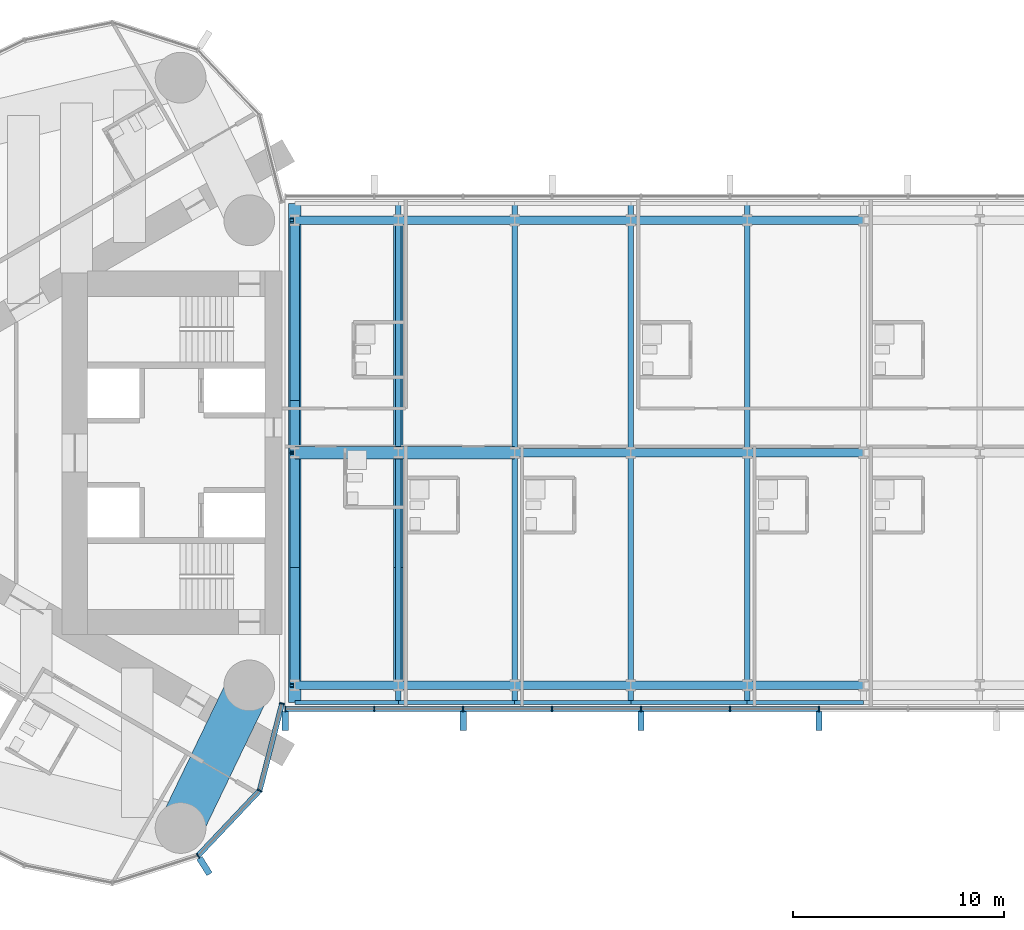
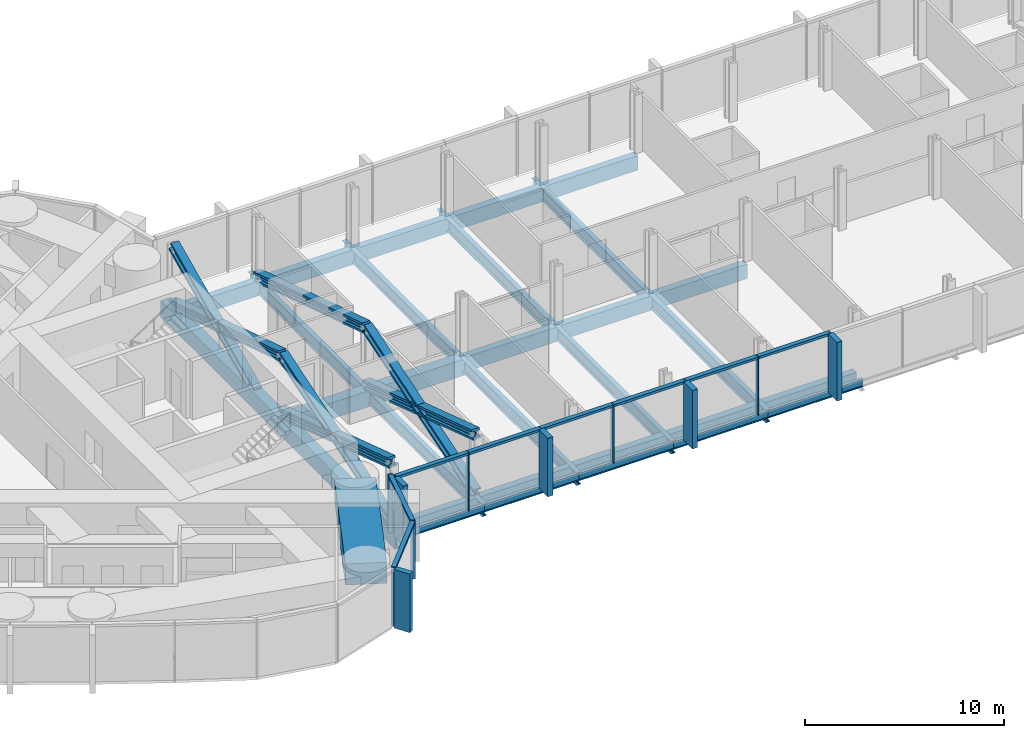
# One storey, part 5 of 24: 31 beams, 30 members, 2 elements without a shape of their own.
"""IFC4 building model written with IfcOpenShell, lengths in metres."""

from ifc_helpers import new_model, si_unit, direction, frame, origin, origin_2d, place, context, subcontext, project, spatial, rectangle, hollow_rectangle, i_section, extrude, material, material_profile, profile_set, type_object, element, aggregate, save


model = new_model("IFC4")

# Units and contexts
model_context = context("Model", 3, precision=1e-05, world=origin(), true_north=direction((0.0, 1.0)))
body_context = subcontext(model_context, "Body", "Model", "MODEL_VIEW")
ifc_project = project(units=[si_unit("LENGTHUNIT", "METRE"), si_unit("AREAUNIT", "SQUARE_METRE"), si_unit("VOLUMEUNIT", "CUBIC_METRE"), si_unit("PLANEANGLEUNIT", "RADIAN"), si_unit("MASSUNIT", "GRAM", prefix="KILO")], contexts=[model_context])

# Site, building, storey
site_placement = place(None, origin())
site = spatial("IfcSite", under=ifc_project, at=site_placement, CompositionType="ELEMENT")
building_placement = place(site_placement, origin())
building = spatial("IfcBuilding", under=site, at=building_placement, Name="Lancet Gate Hotel", CompositionType="ELEMENT")
storey_placement = place(building_placement, frame((0.0, 0.0, 244.10009765625)))
storey = spatial("IfcBuildingStorey", under=building, at=storey_placement, Name="L65", CompositionType="ELEMENT", Elevation=244.10009765625)

# Curtain wall, members
ifc_material_1 = material(Name="Aluminium curtain wall", Category="aluminium")
curtain_wall_type_1 = type_object("IfcCurtainWallType", Name="Tower unitised curtain wall", PredefinedType="USERDEFINED", material=ifc_material_1)
curtain_wall_1_placement = place(storey_placement, origin())
curtain_wall_1 = element("IfcCurtainWall", 1, at=curtain_wall_1_placement, inside=storey, type_object=curtain_wall_type_1, Name="T1 L65 curtain wall 1", ObjectType="UNITISED CURTAIN WALL", PredefinedType="USERDEFINED")
ifc_material_2 = material(Name="Aluminium mullion", Category="aluminium")
ifc_material_profile_1 = material_profile(ifc_material_2, rectangle(XDim=0.06494140625, YDim=0.25, at=origin_2d()), Name="MULLION 65x250")
ifc_profile_set_1 = profile_set([ifc_material_profile_1], Name="Aluminium mullion")
member_type_1 = type_object("IfcMemberType", Name="Aluminium mullion 65x250", PredefinedType="MULLION", material=ifc_profile_set_1)
member_1_placement = place(storey_placement, frame((-31.476318359375, -19.0576171875, 0.0), z_axis=(0.0, 0.0, 1.0), x_axis=(0.846612863, 0.532209225966, 0.0)))
member_1 = element("IfcMember", 2, at=member_1_placement, type_object=member_type_1, Name="T1 L65 curtain wall 1 mullion 23", PredefinedType="MULLION", context=body_context, shape_type="SweptSolid", body=[
    extrude(rectangle(XDim=0.06494140625, YDim=0.25, at=origin_2d()), origin(), (0.0, 0.0, 1.0), 3.599853515625),
])
member_2_placement = place(storey_placement, frame((-28.56005859375, -15.97216796875, 0.0), z_axis=(0.0, 0.0, 1.0), x_axis=(0.483627322447, 0.875274021654, 0.0)))
member_2 = element("IfcMember", 3, at=member_2_placement, type_object=member_type_1, Name="T1 L65 curtain wall 1 mullion 24", PredefinedType="MULLION", context=body_context, shape_type="SweptSolid", body=[
    extrude(rectangle(XDim=0.06494140625, YDim=0.25, at=origin_2d()), origin(), (0.0, 0.0, 1.0), 3.599853515625),
])
member_3_placement = place(storey_placement, frame((-27.5, -11.861572265625, 0.0), z_axis=(0.0, 0.0, 1.0), x_axis=(0.249725827997, 0.968316586056, 0.0)))
member_3 = element("IfcMember", 4, at=member_3_placement, type_object=member_type_1, Name="T1 L65 curtain wall 1 mullion 25", PredefinedType="MULLION", context=body_context, shape_type="SweptSolid", body=[
    extrude(rectangle(XDim=0.06494140625, YDim=0.25, at=origin_2d()), origin(), (0.0, 0.0, 1.0), 3.599853515625),
])

ifc_material_3 = material(Name="Aluminium curtain wall", Category="aluminium")
curtain_wall_type_2 = type_object("IfcCurtainWallType", Name="Bridge block curtain wall", PredefinedType="USERDEFINED", material=ifc_material_3)
curtain_wall_2_placement = place(storey_placement, origin())
curtain_wall_2 = element("IfcCurtainWall", 5, at=curtain_wall_2_placement, inside=storey, type_object=curtain_wall_type_2, Name="Bridge block L65 curtain wall S", ObjectType="UNITISED CURTAIN WALL", PredefinedType="USERDEFINED")
member_4_placement = place(storey_placement, frame((-27.35009765625, -12.1201171875, 0.0), z_axis=(0.0, 0.0, 1.0), x_axis=(1.0, 0.0, 0.0)))
member_4 = element("IfcMember", 6, at=member_4_placement, type_object=member_type_1, Name="Bridge block L65 curtain wall S mullion 1", PredefinedType="MULLION", context=body_context, shape_type="SweptSolid", body=[
    extrude(rectangle(XDim=0.06494140625, YDim=0.25, at=origin_2d()), origin(), (0.0, 0.0, 1.0), 3.599853515625),
])
member_5_placement = place(storey_placement, frame((-23.142333984375, -12.1201171875, 0.0), z_axis=(0.0, 0.0, 1.0), x_axis=(1.0, 0.0, 0.0)))
member_5 = element("IfcMember", 7, at=member_5_placement, type_object=member_type_1, Name="Bridge block L65 curtain wall S mullion 2", PredefinedType="MULLION", context=body_context, shape_type="SweptSolid", body=[
    extrude(rectangle(XDim=0.06494140625, YDim=0.25, at=origin_2d()), origin(), (0.0, 0.0, 1.0), 3.599853515625),
])
member_6_placement = place(storey_placement, frame((-18.9345703125, -12.1201171875, 0.0), z_axis=(0.0, 0.0, 1.0), x_axis=(1.0, 0.0, 0.0)))
member_6 = element("IfcMember", 8, at=member_6_placement, type_object=member_type_1, Name="Bridge block L65 curtain wall S mullion 3", PredefinedType="MULLION", context=body_context, shape_type="SweptSolid", body=[
    extrude(rectangle(XDim=0.06494140625, YDim=0.25, at=origin_2d()), origin(), (0.0, 0.0, 1.0), 3.599853515625),
])
member_7_placement = place(storey_placement, frame((-14.726806640625, -12.1201171875, 0.0), z_axis=(0.0, 0.0, 1.0), x_axis=(1.0, 0.0, 0.0)))
member_7 = element("IfcMember", 9, at=member_7_placement, type_object=member_type_1, Name="Bridge block L65 curtain wall S mullion 4", PredefinedType="MULLION", context=body_context, shape_type="SweptSolid", body=[
    extrude(rectangle(XDim=0.06494140625, YDim=0.25, at=origin_2d()), origin(), (0.0, 0.0, 1.0), 3.599853515625),
])
member_8_placement = place(storey_placement, frame((-10.519287109375, -12.1201171875, 0.0), z_axis=(0.0, 0.0, 1.0), x_axis=(1.0, 0.0, 0.0)))
member_8 = element("IfcMember", 10, at=member_8_placement, type_object=member_type_1, Name="Bridge block L65 curtain wall S mullion 5", PredefinedType="MULLION", context=body_context, shape_type="SweptSolid", body=[
    extrude(rectangle(XDim=0.06494140625, YDim=0.25, at=origin_2d()), origin(), (0.0, 0.0, 1.0), 3.599853515625),
])
member_9_placement = place(storey_placement, frame((-6.3115234375, -12.1201171875, 0.0), z_axis=(0.0, 0.0, 1.0), x_axis=(1.0, 0.0, 0.0)))
member_9 = element("IfcMember", 11, at=member_9_placement, type_object=member_type_1, Name="Bridge block L65 curtain wall S mullion 6", PredefinedType="MULLION", context=body_context, shape_type="SweptSolid", body=[
    extrude(rectangle(XDim=0.06494140625, YDim=0.25, at=origin_2d()), origin(), (0.0, 0.0, 1.0), 3.599853515625),
])
member_10_placement = place(storey_placement, frame((-2.103759765625, -12.1201171875, 0.0), z_axis=(0.0, 0.0, 1.0), x_axis=(1.0, 0.0, 0.0)))
member_10 = element("IfcMember", 12, at=member_10_placement, type_object=member_type_1, Name="Bridge block L65 curtain wall S mullion 7", PredefinedType="MULLION", context=body_context, shape_type="SweptSolid", body=[
    extrude(rectangle(XDim=0.06494140625, YDim=0.25, at=origin_2d()), origin(), (0.0, 0.0, 1.0), 3.599853515625),
])

# Member
ifc_material_4 = material(Name="Aluminium transom", Category="aluminium")
ifc_material_profile_2 = material_profile(ifc_material_4, rectangle(XDim=0.25, YDim=0.14990234375, at=origin_2d()), Name="TRANSOM 250x150")
ifc_profile_set_2 = profile_set([ifc_material_profile_2], Name="Aluminium transom")
member_type_2 = type_object("IfcMemberType", Name="Aluminium transom 250x150", PredefinedType="USERDEFINED", material=ifc_profile_set_2)
member_11_placement = place(storey_placement, frame((-31.453857421875, -19.033935546875, 3.52490234375), z_axis=(0.686880731091, 0.726770157103, 0.0), x_axis=(-0.726770157103, 0.686880731091, 0.0)))
member_11 = element("IfcMember", 13, at=member_11_placement, type_object=member_type_2, Name="T1 L65 curtain wall 1 transom 23", ObjectType="TRANSOM", PredefinedType="USERDEFINED", context=body_context, shape_type="SweptSolid", body=[
    extrude(rectangle(XDim=0.25, YDim=0.14990234375, at=origin_2d()), origin(), (0.0, 0.0, 1.0), 4.18017578125),
])

member_12_placement = place(storey_placement, frame((-28.552001953125, -15.94091796875, 3.52490234375), z_axis=(0.249715522936, 0.968319243641, 0.0), x_axis=(-0.968319243641, 0.249715522936, 0.0)))
member_12 = element("IfcMember", 14, at=member_12_placement, type_object=member_type_2, Name="T1 L65 curtain wall 1 transom 24", ObjectType="TRANSOM", PredefinedType="USERDEFINED", context=body_context, shape_type="SweptSolid", body=[
    extrude(rectangle(XDim=0.25, YDim=0.14990234375, at=origin_2d()), origin(), (0.0, 0.0, 1.0), 4.180419921875),
])

member_13_placement = place(storey_placement, frame((-27.3173828125, -12.1201171875, 3.52490234375), z_axis=(1.0, 0.0, 0.0), x_axis=(0.0, 1.0, 0.0)))
member_13 = element("IfcMember", 15, at=member_13_placement, type_object=member_type_2, Name="Bridge block L65 curtain wall S transom 1", ObjectType="TRANSOM", PredefinedType="USERDEFINED", context=body_context, shape_type="SweptSolid", body=[
    extrude(rectangle(XDim=0.25, YDim=0.14990234375, at=origin_2d()), origin(), (0.0, 0.0, 1.0), 4.142578125),
])

member_14_placement = place(storey_placement, frame((-23.10986328125, -12.1201171875, 3.52490234375), z_axis=(1.0, 0.0, 0.0), x_axis=(0.0, 1.0, 0.0)))
member_14 = element("IfcMember", 16, at=member_14_placement, type_object=member_type_2, Name="Bridge block L65 curtain wall S transom 2", ObjectType="TRANSOM", PredefinedType="USERDEFINED", context=body_context, shape_type="SweptSolid", body=[
    extrude(rectangle(XDim=0.25, YDim=0.14990234375, at=origin_2d()), origin(), (0.0, 0.0, 1.0), 4.142822265625),
])

member_15_placement = place(storey_placement, frame((-18.902099609375, -12.1201171875, 3.52490234375), z_axis=(1.0, 0.0, 0.0), x_axis=(0.0, 1.0, 0.0)))
member_15 = element("IfcMember", 17, at=member_15_placement, type_object=member_type_2, Name="Bridge block L65 curtain wall S transom 3", ObjectType="TRANSOM", PredefinedType="USERDEFINED", context=body_context, shape_type="SweptSolid", body=[
    extrude(rectangle(XDim=0.25, YDim=0.14990234375, at=origin_2d()), origin(), (0.0, 0.0, 1.0), 4.142578125),
])

member_16_placement = place(storey_placement, frame((-14.6943359375, -12.1201171875, 3.52490234375), z_axis=(1.0, 0.0, 0.0), x_axis=(0.0, 1.0, 0.0)))
member_16 = element("IfcMember", 18, at=member_16_placement, type_object=member_type_2, Name="Bridge block L65 curtain wall S transom 4", ObjectType="TRANSOM", PredefinedType="USERDEFINED", context=body_context, shape_type="SweptSolid", body=[
    extrude(rectangle(XDim=0.25, YDim=0.14990234375, at=origin_2d()), origin(), (0.0, 0.0, 1.0), 4.142578125),
])

member_17_placement = place(storey_placement, frame((-10.48681640625, -12.1201171875, 3.52490234375), z_axis=(1.0, 0.0, 0.0), x_axis=(0.0, 1.0, 0.0)))
member_17 = element("IfcMember", 19, at=member_17_placement, type_object=member_type_2, Name="Bridge block L65 curtain wall S transom 5", ObjectType="TRANSOM", PredefinedType="USERDEFINED", context=body_context, shape_type="SweptSolid", body=[
    extrude(rectangle(XDim=0.25, YDim=0.14990234375, at=origin_2d()), origin(), (0.0, 0.0, 1.0), 4.142822265625),
])

member_18_placement = place(storey_placement, frame((-6.279052734375, -12.1201171875, 3.52490234375), z_axis=(1.0, 0.0, 0.0), x_axis=(0.0, 1.0, 0.0)))
member_18 = element("IfcMember", 20, at=member_18_placement, type_object=member_type_2, Name="Bridge block L65 curtain wall S transom 6", ObjectType="TRANSOM", PredefinedType="USERDEFINED", context=body_context, shape_type="SweptSolid", body=[
    extrude(rectangle(XDim=0.25, YDim=0.14990234375, at=origin_2d()), origin(), (0.0, 0.0, 1.0), 4.142822265625),
])

# Members
ifc_material_5 = material(Name="Steel S460", Category="steel")
ifc_material_profile_3 = material_profile(ifc_material_5, i_section(OverallWidth=0.4541015625, OverallDepth=0.569091796875, WebThickness=0.077880859375, FlangeThickness=0.125, FilletRadius=0.02001953125, at=origin_2d()), Name="HD 400x1086")
ifc_profile_set_3 = profile_set([ifc_material_profile_3], Name="Steel S460")
member_type_3 = type_object("IfcMemberType", Name="Block brace HD 400x1086", PredefinedType="BRACE", material=ifc_profile_set_3)
member_19_placement = place(storey_placement, frame((-26.89990234375, -11.0, 0.0), z_axis=(0.0, 0.952925780013, 0.303203657277), x_axis=(-1.0, 0.0, 0.0)))
element("IfcMember", 21, at=member_19_placement, inside=storey, type_object=member_type_3, Name="Block brace WY11 L65", PredefinedType="BRACE", context=body_context, shape_type="SweptSolid", body=[
    extrude(i_section(OverallWidth=0.4541015625, OverallDepth=0.569091796875, WebThickness=0.077880859375, FlangeThickness=0.125, FilletRadius=0.02001953125, at=origin_2d()), origin(), (0.0, 0.0, 1.0), 11.54345703125),
])
member_20_placement = place(storey_placement, frame((-26.89990234375, 0.0, 0.0), z_axis=(0.0, -0.950400870301, 0.311027628564), x_axis=(1.0, 0.0, 0.0)))
element("IfcMember", 22, at=member_20_placement, inside=storey, type_object=member_type_3, Name="Block brace WY12 L65", PredefinedType="BRACE", context=body_context, shape_type="SweptSolid", body=[
    extrude(i_section(OverallWidth=0.4541015625, OverallDepth=0.569091796875, WebThickness=0.077880859375, FlangeThickness=0.125, FilletRadius=0.02001953125, at=origin_2d()), origin(), (0.0, 0.0, 1.0), 11.573974609375),
])
for number, where, z_axis, x_axis, name in (
    (23, (-26.89990234375, 11.0, 0.0), (0.0, -0.952925780013, 0.303203657277), (1.0, 0.0, 0.0), "Block brace WY22 L65"),
    (24, (-22.0, -11.0, 0.0), (0.0, 0.952925780013, 0.303203657277), (-1.0, 0.0, 0.0), "Block brace WI11 L65"),
):
    element("IfcMember", number, at=place(storey_placement, frame(where, z_axis=z_axis, x_axis=x_axis)), inside=storey, type_object=member_type_3, Name=name, PredefinedType="BRACE", context=body_context, shape_type="SweptSolid", body=[
        extrude(i_section(OverallWidth=0.4541015625, OverallDepth=0.569091796875, WebThickness=0.077880859375, FlangeThickness=0.125, FilletRadius=0.02001953125, at=origin_2d()), origin(), (0.0, 0.0, 1.0), 11.54345703125),
    ])
member_21_placement = place(storey_placement, frame((-22.0, 0.0, 0.0), z_axis=(0.0, -0.950400870301, 0.311027628564), x_axis=(1.0, 0.0, 0.0)))
element("IfcMember", 25, at=member_21_placement, inside=storey, type_object=member_type_3, Name="Block brace WI12 L65", PredefinedType="BRACE", context=body_context, shape_type="SweptSolid", body=[
    extrude(i_section(OverallWidth=0.4541015625, OverallDepth=0.569091796875, WebThickness=0.077880859375, FlangeThickness=0.125, FilletRadius=0.02001953125, at=origin_2d()), origin(), (0.0, 0.0, 1.0), 11.573974609375),
])
member_22_placement = place(storey_placement, frame((-22.0, 11.0, 0.0), z_axis=(0.0, -0.952925780013, 0.303203657277), x_axis=(1.0, 0.0, 0.0)))
element("IfcMember", 26, at=member_22_placement, inside=storey, type_object=member_type_3, Name="Block brace WI22 L65", PredefinedType="BRACE", context=body_context, shape_type="SweptSolid", body=[
    extrude(i_section(OverallWidth=0.4541015625, OverallDepth=0.569091796875, WebThickness=0.077880859375, FlangeThickness=0.125, FilletRadius=0.02001953125, at=origin_2d()), origin(), (0.0, 0.0, 1.0), 11.54345703125),
])
member_23_placement = place(storey_placement, frame((-26.89990234375, 2.60009765625, -0.300048828125), z_axis=(0.0, 0.907011125382, 0.421106659212), x_axis=(-1.0, 0.0, 0.0)))
element("IfcMember", 27, at=member_23_placement, inside=storey, type_object=member_type_3, Name="Block brace WY23 L65", PredefinedType="BRACE", context=body_context, shape_type="SweptSolid", body=[
    extrude(i_section(OverallWidth=0.4541015625, OverallDepth=0.569091796875, WebThickness=0.077880859375, FlangeThickness=0.125, FilletRadius=0.02001953125, at=origin_2d()), origin(), (0.0, 0.0, 1.0), 9.260986328125),
])

# Beams
ifc_material_6 = material(Name="Steel S355", Category="steel")
ifc_material_profile_4 = material_profile(ifc_material_6, i_section(OverallWidth=0.19140625, OverallDepth=0.4599609375, WebThickness=0.010009765625, FlangeThickness=0.01611328125, FilletRadius=0.01025390625, at=origin_2d()), Name="UKB 457x191x82")
ifc_profile_set_4 = profile_set([ifc_material_profile_4], Name="Steel S355")
beam_type_1 = type_object("IfcBeamType", Name="Block edge beam UKB 457x191x82", PredefinedType="SPANDREL", material=ifc_profile_set_4)
beam_1_placement = place(storey_placement, frame((-26.89990234375, -11.800048828125, -0.43017578125), z_axis=(1.0, 0.0, 0.0), x_axis=(0.0, 1.0, 0.0)))
element("IfcBeam", 28, at=beam_1_placement, inside=storey, type_object=beam_type_1, Name="Block edge beam S 0-1 L65", PredefinedType="SPANDREL", context=body_context, shape_type="SweptSolid", body=[
    extrude(i_section(OverallWidth=0.19140625, OverallDepth=0.4599609375, WebThickness=0.010009765625, FlangeThickness=0.01611328125, FilletRadius=0.01025390625, at=origin_2d()), origin(), (0.0, 0.0, 1.0), 4.89990234375),
])
for number, where, z_axis, x_axis, name in (
    (29, (-22.0, -11.800048828125, -0.43017578125), (1.0, 0.0, 0.0), (0.0, 1.0, 0.0), "Block edge beam S 1-2 L65"),
    (30, (-16.5, -11.800048828125, -0.43017578125), (1.0, 0.0, 0.0), (0.0, 1.0, 0.0), "Block edge beam S 2-3 L65"),
    (31, (-11.0, -11.800048828125, -0.43017578125), (1.0, 0.0, 0.0), (0.0, 1.0, 0.0), "Block edge beam S 3-4 L65"),
    (32, (-5.5, -11.800048828125, -0.43017578125), (1.0, 0.0, 0.0), (0.0, 1.0, 0.0), "Block edge beam S 4-5 L65"),
):
    element("IfcBeam", number, at=place(storey_placement, frame(where, z_axis=z_axis, x_axis=x_axis)), inside=storey, type_object=beam_type_1, Name=name, PredefinedType="SPANDREL", context=body_context, shape_type="SweptSolid", body=[
        extrude(i_section(OverallWidth=0.19140625, OverallDepth=0.4599609375, WebThickness=0.010009765625, FlangeThickness=0.01611328125, FilletRadius=0.01025390625, at=origin_2d()), origin(), (0.0, 0.0, 1.0), 5.5),
    ])
ifc_material_7 = material(Name="Steel S460QL", Category="steel")
ifc_material_profile_5 = material_profile(ifc_material_7, hollow_rectangle(XDim=0.60009765625, YDim=1.0, WallThickness=0.10009765625, at=origin_2d()), Name="BOX 1000x600x100")
ifc_profile_set_5 = profile_set([ifc_material_profile_5], Name="Steel S460QL")
beam_type_2 = type_object("IfcBeamType", Name="Block end beam BOX 1000x600x100", PredefinedType="BEAM", material=ifc_profile_set_5)
for number, where, z_axis, x_axis, name in (
    (33, (-26.89990234375, -11.800048828125, -0.7001953125), (0.0, 1.0, 0.0), (-1.0, 0.0, 0.0), "Block beam x0 S L65"),
    (34, (-26.89990234375, 0.0, -0.7001953125), (0.0, 1.0, 0.0), (-1.0, 0.0, 0.0), "Block beam x0 N L65"),
):
    element("IfcBeam", number, at=place(storey_placement, frame(where, z_axis=z_axis, x_axis=x_axis)), inside=storey, type_object=beam_type_2, Name=name, PredefinedType="BEAM", context=body_context, shape_type="SweptSolid", body=[
        extrude(hollow_rectangle(XDim=0.60009765625, YDim=1.0, WallThickness=0.10009765625, at=origin_2d()), origin(), (0.0, 0.0, 1.0), 11.800048828125),
    ])
ifc_material_8 = material(Name="Steel S460QL", Category="steel")
ifc_material_profile_6 = material_profile(ifc_material_8, hollow_rectangle(XDim=0.60009765625, YDim=1.0, WallThickness=0.080078125, at=origin_2d()), Name="BOX 1000x600x80")
ifc_profile_set_6 = profile_set([ifc_material_profile_6], Name="Steel S460QL")
beam_type_3 = type_object("IfcBeamType", Name="Block primary beam BOX 1000x600x80", PredefinedType="BEAM", material=ifc_profile_set_6)
beam_2_placement = place(storey_placement, frame((-26.89990234375, 0.0, -0.7001953125), z_axis=(1.0, 0.0, 0.0), x_axis=(0.0, 1.0, 0.0)))
element("IfcBeam", 35, at=beam_2_placement, inside=storey, type_object=beam_type_3, Name="Block primary beam M 1 L65", PredefinedType="BEAM", context=body_context, shape_type="SweptSolid", body=[
    extrude(hollow_rectangle(XDim=0.60009765625, YDim=1.0, WallThickness=0.080078125, at=origin_2d()), origin(), (0.0, 0.0, 1.0), 4.89990234375),
])
beam_3_placement = place(storey_placement, frame((-22.0, 0.0, -0.7001953125), z_axis=(1.0, 0.0, 0.0), x_axis=(0.0, 1.0, 0.0)))
element("IfcBeam", 36, at=beam_3_placement, inside=storey, type_object=beam_type_3, Name="Block primary beam M 2 L65", PredefinedType="BEAM", context=body_context, shape_type="SweptSolid", body=[
    extrude(hollow_rectangle(XDim=0.60009765625, YDim=1.0, WallThickness=0.080078125, at=origin_2d()), origin(), (0.0, 0.0, 1.0), 5.5),
])
ifc_material_9 = material(Name="Steel S355", Category="steel")
ifc_material_profile_7 = material_profile(ifc_material_9, hollow_rectangle(XDim=0.39990234375, YDim=0.89990234375, WallThickness=0.0400390625, at=origin_2d()), Name="BOX 900x400x40")
ifc_profile_set_7 = profile_set([ifc_material_profile_7], Name="Steel S355")
beam_type_4 = type_object("IfcBeamType", Name="Block primary beam BOX 900x400x40", PredefinedType="BEAM", material=ifc_profile_set_7)
beam_4_placement = place(storey_placement, frame((-26.89990234375, -11.0, -0.650146484375), z_axis=(1.0, 0.0, 0.0), x_axis=(0.0, 1.0, 0.0)))
element("IfcBeam", 37, at=beam_4_placement, inside=storey, type_object=beam_type_4, Name="Block primary beam S 1 L65", PredefinedType="BEAM", context=body_context, shape_type="SweptSolid", body=[
    extrude(hollow_rectangle(XDim=0.39990234375, YDim=0.89990234375, WallThickness=0.0400390625, at=origin_2d()), origin(), (0.0, 0.0, 1.0), 4.89990234375),
])
for number, where, z_axis, x_axis, name in (
    (38, (-22.0, -11.0, -0.650146484375), (1.0, 0.0, 0.0), (0.0, 1.0, 0.0), "Block primary beam S 2 L65"),
    (39, (-16.5, -11.0, -0.650146484375), (1.0, 0.0, 0.0), (0.0, 1.0, 0.0), "Block primary beam S 3 L65"),
    (40, (-11.0, -11.0, -0.650146484375), (1.0, 0.0, 0.0), (0.0, 1.0, 0.0), "Block primary beam S 4 L65"),
    (41, (-5.5, -11.0, -0.650146484375), (1.0, 0.0, 0.0), (0.0, 1.0, 0.0), "Block primary beam S 5 L65"),
    (42, (-16.5, 0.0, -0.650146484375), (1.0, 0.0, 0.0), (0.0, 1.0, 0.0), "Block primary beam M 3 L65"),
    (43, (-11.0, 0.0, -0.650146484375), (1.0, 0.0, 0.0), (0.0, 1.0, 0.0), "Block primary beam M 4 L65"),
    (44, (-5.5, 0.0, -0.650146484375), (1.0, 0.0, 0.0), (0.0, 1.0, 0.0), "Block primary beam M 5 L65"),
):
    element("IfcBeam", number, at=place(storey_placement, frame(where, z_axis=z_axis, x_axis=x_axis)), inside=storey, type_object=beam_type_4, Name=name, PredefinedType="BEAM", context=body_context, shape_type="SweptSolid", body=[
        extrude(hollow_rectangle(XDim=0.39990234375, YDim=0.89990234375, WallThickness=0.0400390625, at=origin_2d()), origin(), (0.0, 0.0, 1.0), 5.5),
    ])
beam_5_placement = place(storey_placement, frame((-26.89990234375, 11.0, -0.650146484375), z_axis=(1.0, 0.0, 0.0), x_axis=(0.0, 1.0, 0.0)))
element("IfcBeam", 45, at=beam_5_placement, inside=storey, type_object=beam_type_4, Name="Block primary beam N 1 L65", PredefinedType="BEAM", context=body_context, shape_type="SweptSolid", body=[
    extrude(hollow_rectangle(XDim=0.39990234375, YDim=0.89990234375, WallThickness=0.0400390625, at=origin_2d()), origin(), (0.0, 0.0, 1.0), 4.89990234375),
])
for number, where, z_axis, x_axis, name in (
    (46, (-22.0, 11.0, -0.650146484375), (1.0, 0.0, 0.0), (0.0, 1.0, 0.0), "Block primary beam N 2 L65"),
    (47, (-16.5, 11.0, -0.650146484375), (1.0, 0.0, 0.0), (0.0, 1.0, 0.0), "Block primary beam N 3 L65"),
    (48, (-11.0, 11.0, -0.650146484375), (1.0, 0.0, 0.0), (0.0, 1.0, 0.0), "Block primary beam N 4 L65"),
    (49, (-5.5, 11.0, -0.650146484375), (1.0, 0.0, 0.0), (0.0, 1.0, 0.0), "Block primary beam N 5 L65"),
):
    element("IfcBeam", number, at=place(storey_placement, frame(where, z_axis=z_axis, x_axis=x_axis)), inside=storey, type_object=beam_type_4, Name=name, PredefinedType="BEAM", context=body_context, shape_type="SweptSolid", body=[
        extrude(hollow_rectangle(XDim=0.39990234375, YDim=0.89990234375, WallThickness=0.0400390625, at=origin_2d()), origin(), (0.0, 0.0, 1.0), 5.5),
    ])
ifc_material_10 = material(Name="Steel S355", Category="steel")
ifc_material_profile_8 = material_profile(ifc_material_10, i_section(OverallWidth=0.26806640625, OverallDepth=0.769775390625, WebThickness=0.015625, FlangeThickness=0.025390625, FilletRadius=0.0166015625, at=origin_2d()), Name="UKB 762x267x197")
ifc_profile_set_8 = profile_set([ifc_material_profile_8], Name="Steel S355")
beam_type_5 = type_object("IfcBeamType", Name="Block secondary beam UKB 762x267x197", PredefinedType="JOIST", material=ifc_profile_set_8)
for number, where, z_axis, x_axis, name in (
    (50, (-22.0, -11.800048828125, -0.5849609375), (0.0, 1.0, 0.0), (-1.0, 0.0, 0.0), "Block beam x1 S L65"),
    (51, (-22.0, 0.0, -0.5849609375), (0.0, 1.0, 0.0), (-1.0, 0.0, 0.0), "Block beam x1 N L65"),
    (52, (-16.5, -11.800048828125, -0.5849609375), (0.0, 1.0, 0.0), (-1.0, 0.0, 0.0), "Block beam x2 S L65"),
    (53, (-16.5, 0.0, -0.5849609375), (0.0, 1.0, 0.0), (-1.0, 0.0, 0.0), "Block beam x2 N L65"),
    (54, (-11.0, -11.800048828125, -0.5849609375), (0.0, 1.0, 0.0), (-1.0, 0.0, 0.0), "Block beam x3 S L65"),
    (55, (-11.0, 0.0, -0.5849609375), (0.0, 1.0, 0.0), (-1.0, 0.0, 0.0), "Block beam x3 N L65"),
    (56, (-5.5, -11.800048828125, -0.5849609375), (0.0, 1.0, 0.0), (-1.0, 0.0, 0.0), "Block beam x4 S L65"),
    (57, (-5.5, 0.0, -0.5849609375), (0.0, 1.0, 0.0), (-1.0, 0.0, 0.0), "Block beam x4 N L65"),
):
    element("IfcBeam", number, at=place(storey_placement, frame(where, z_axis=z_axis, x_axis=x_axis)), inside=storey, type_object=beam_type_5, Name=name, PredefinedType="JOIST", context=body_context, shape_type="SweptSolid", body=[
        extrude(i_section(OverallWidth=0.26806640625, OverallDepth=0.769775390625, WebThickness=0.015625, FlangeThickness=0.025390625, FilletRadius=0.0166015625, at=origin_2d()), origin(), (0.0, 0.0, 1.0), 11.800048828125),
    ])
ifc_material_11 = material(Name="Concrete C50/60", Category="concrete")
ifc_material_profile_9 = material_profile(ifc_material_11, rectangle(XDim=2.10009765625, YDim=1.300048828125, at=origin_2d()), Name="RC 2100x1300")
ifc_profile_set_9 = profile_set([ifc_material_profile_9], Name="Concrete C50/60")
beam_type_6 = type_object("IfcBeamType", Name="Edge beam RC 2100x1300", PredefinedType="SPANDREL", material=ifc_profile_set_9)
beam_6_placement = place(storey_placement, frame((-29.050048828125, -11.0, 2.699951171875), z_axis=(-0.434163599361, -0.900834040759, 0.0), x_axis=(0.900834040759, -0.434163599361, 0.0)))
element("IfcBeam", 58, at=beam_6_placement, inside=storey, type_object=beam_type_6, Name="T1 edge beam EB1 L65", PredefinedType="SPANDREL", context=body_context, shape_type="SweptSolid", body=[
    extrude(rectangle(XDim=2.10009765625, YDim=1.300048828125, at=origin_2d()), origin(), (0.0, 0.0, 1.0), 7.48779296875),
])

# Member
ifc_material_12 = material(Name="Precast concrete C50/60", Category="concrete")
ifc_material_profile_10 = material_profile(ifc_material_12, rectangle(XDim=0.300048828125, YDim=0.89990234375, at=origin_2d()), Name="FIN 300x900")
ifc_profile_set_10 = profile_set([ifc_material_profile_10], Name="Precast concrete C50/60")
member_type_4 = type_object("IfcMemberType", Name="Exposed concrete fin 300x900", PredefinedType="USERDEFINED", material=ifc_profile_set_10)
member_24_placement = place(storey_placement, frame((-31.170166015625, -19.54443359375, 0.0), z_axis=(0.0, 0.0, 1.0), x_axis=(0.846612863, 0.532209225966, 0.0)))
member_24 = element("IfcMember", 59, at=member_24_placement, type_object=member_type_4, Name="T1 L65 curtain wall 1 fin 23", ObjectType="FIN", PredefinedType="USERDEFINED", context=body_context, shape_type="SweptSolid", body=[
    extrude(rectangle(XDim=0.300048828125, YDim=0.89990234375, at=origin_2d()), origin(), (0.0, 0.0, 1.0), 3.599853515625),
])

aggregate(curtain_wall_1, [member_1, member_24, member_2, member_3, member_11, member_12])

member_25_placement = place(storey_placement, frame((-27.35009765625, -12.695068359375, 0.0), z_axis=(0.0, 0.0, 1.0), x_axis=(1.0, 0.0, 0.0)))
member_25 = element("IfcMember", 60, at=member_25_placement, type_object=member_type_4, Name="Bridge block L65 curtain wall S fin 1", ObjectType="FIN", PredefinedType="USERDEFINED", context=body_context, shape_type="SweptSolid", body=[
    extrude(rectangle(XDim=0.300048828125, YDim=0.89990234375, at=origin_2d()), origin(), (0.0, 0.0, 1.0), 3.599853515625),
])

member_26_placement = place(storey_placement, frame((-18.9345703125, -12.695068359375, 0.0), z_axis=(0.0, 0.0, 1.0), x_axis=(1.0, 0.0, 0.0)))
member_26 = element("IfcMember", 61, at=member_26_placement, type_object=member_type_4, Name="Bridge block L65 curtain wall S fin 3", ObjectType="FIN", PredefinedType="USERDEFINED", context=body_context, shape_type="SweptSolid", body=[
    extrude(rectangle(XDim=0.300048828125, YDim=0.89990234375, at=origin_2d()), origin(), (0.0, 0.0, 1.0), 3.599853515625),
])

member_27_placement = place(storey_placement, frame((-10.519287109375, -12.695068359375, 0.0), z_axis=(0.0, 0.0, 1.0), x_axis=(1.0, 0.0, 0.0)))
member_27 = element("IfcMember", 62, at=member_27_placement, type_object=member_type_4, Name="Bridge block L65 curtain wall S fin 5", ObjectType="FIN", PredefinedType="USERDEFINED", context=body_context, shape_type="SweptSolid", body=[
    extrude(rectangle(XDim=0.300048828125, YDim=0.89990234375, at=origin_2d()), origin(), (0.0, 0.0, 1.0), 3.599853515625),
])

member_28_placement = place(storey_placement, frame((-2.103759765625, -12.695068359375, 0.0), z_axis=(0.0, 0.0, 1.0), x_axis=(1.0, 0.0, 0.0)))
member_28 = element("IfcMember", 63, at=member_28_placement, type_object=member_type_4, Name="Bridge block L65 curtain wall S fin 7", ObjectType="FIN", PredefinedType="USERDEFINED", context=body_context, shape_type="SweptSolid", body=[
    extrude(rectangle(XDim=0.300048828125, YDim=0.89990234375, at=origin_2d()), origin(), (0.0, 0.0, 1.0), 3.599853515625),
])

aggregate(curtain_wall_2, [member_4, member_25, member_5, member_6, member_26, member_7, member_8, member_27, member_9, member_10, member_28, member_13, member_14, member_15, member_16, member_17, member_18])

save(model, "model.ifc")
